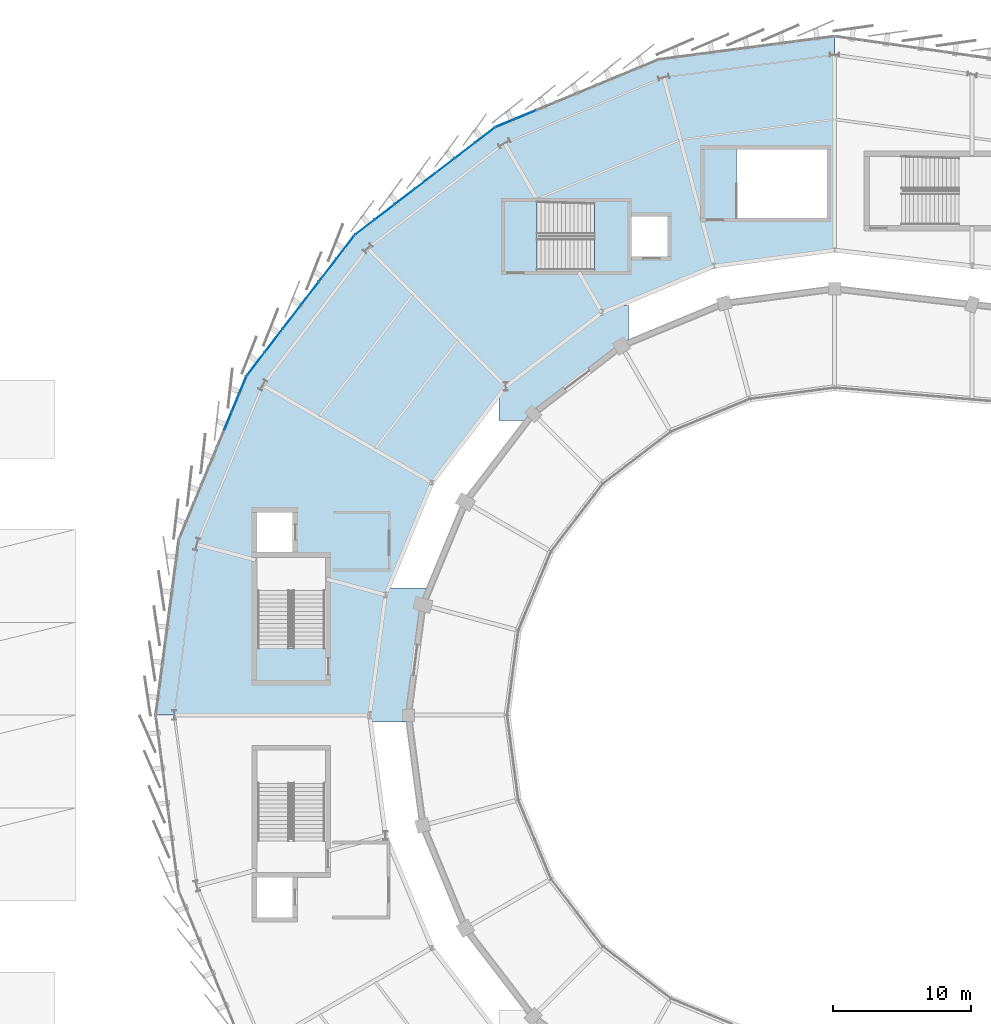
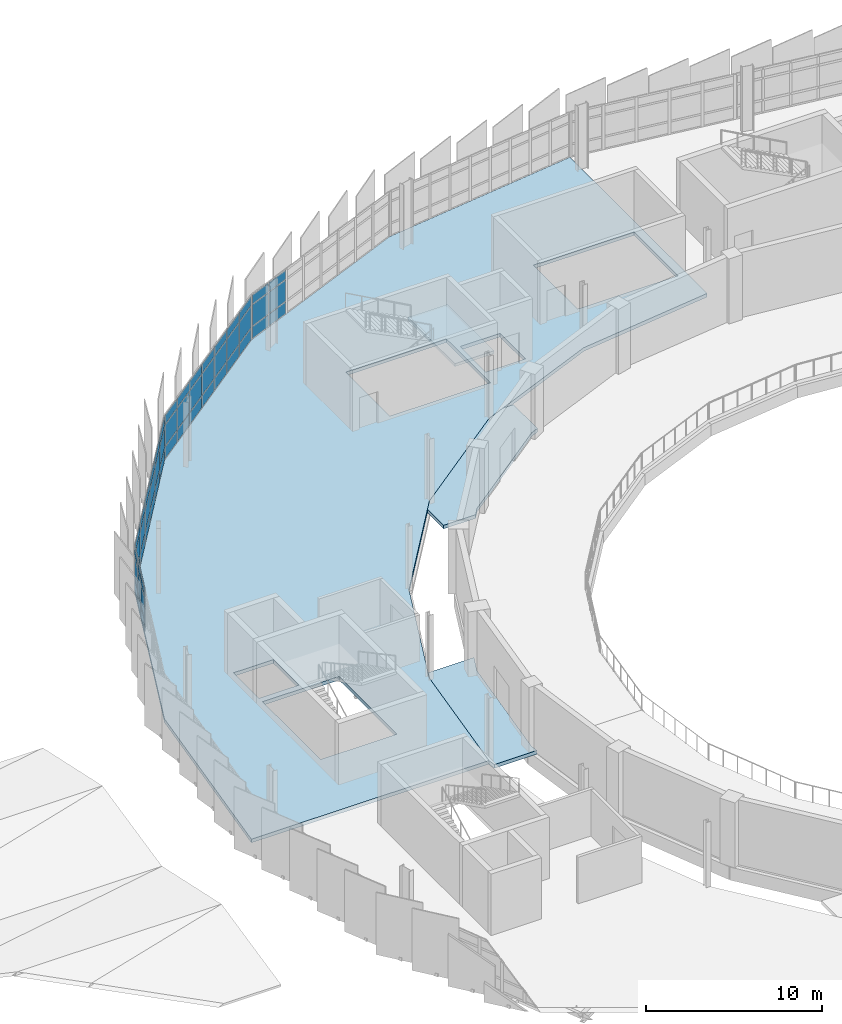
# One storey, part 65 of 87: 54 plates, 4 slabs, 5 elements without a shape of their own.
"""IFC4 building model written with IfcOpenShell, lengths in metres."""

from ifc_helpers import new_model, si_unit, direction, frame, origin, origin_2d, place, context, subcontext, project, spatial, polyline, rectangle, outline, extrude, material, layer, layer_set, type_object, element, aggregate, save


model = new_model("IFC4")

# Units and contexts
model_context = context("Model", 3, precision=1e-05, world=origin(), true_north=direction((0.0, 1.0)))
body_context = subcontext(model_context, "Body", "Model", "MODEL_VIEW")
ifc_project = project(units=[si_unit("LENGTHUNIT", "METRE"), si_unit("AREAUNIT", "SQUARE_METRE"), si_unit("VOLUMEUNIT", "CUBIC_METRE"), si_unit("PLANEANGLEUNIT", "RADIAN"), si_unit("MASSUNIT", "GRAM", prefix="KILO")], contexts=[model_context])

# Site, building, storey
site_placement = place(None, origin())
site = spatial("IfcSite", under=ifc_project, at=site_placement, CompositionType="ELEMENT")
building_placement = place(site_placement, origin())
building = spatial("IfcBuilding", under=site, at=building_placement, Name="Sohan Crest Arena", CompositionType="ELEMENT")
storey_placement = place(building_placement, frame((0.0, 0.0, 18.0)))
storey = spatial("IfcBuildingStorey", under=building, at=storey_placement, Name="L04", CompositionType="ELEMENT", Elevation=18.0)

# Curtain wall, plates
ifc_material_1 = material(Name="Thermally broken anodised aluminium", Category="aluminium")
ifc_layer_1 = layer(ifc_material_1, 0.18994140625, Name="Thermally broken anodised aluminium")
ifc_layer_set_1 = layer_set([ifc_layer_1], Name="Thermally broken anodised aluminium")
curtain_wall_type_1 = type_object("IfcCurtainWallType", Name="ARC-CW05", PredefinedType="NOTDEFINED", material=ifc_layer_set_1)
curtain_wall_1_placement = place(storey_placement, origin())
curtain_wall_1 = element("IfcCurtainWall", 1, at=curtain_wall_1_placement, inside=storey, type_object=curtain_wall_type_1, Name="Unitised curtain wall CW-116", PredefinedType="NOTDEFINED")
ifc_material_2 = material(Name="Low-E double-glazed insulated glass", Category="glass")
ifc_layer_2 = layer(ifc_material_2, 0.028076171875, Name="Low-E double-glazed insulated glass")
ifc_layer_set_2 = layer_set([ifc_layer_2], Name="Low-E double-glazed insulated glass")
plate_type_1 = type_object("IfcPlateType", Name="ARC-CNP01", PredefinedType="CURTAIN_PANEL", material=ifc_layer_set_2)
plate_1_placement = place(storey_placement, frame((54.982421875, 102.0, 0.06494140625), z_axis=(0.0, 0.0, 1.0), x_axis=(-0.382685432009, -0.923878704229, 0.0)))
plate_1 = element("IfcPlate", 2, at=plate_1_placement, type_object=plate_type_1, Name="CW-116 panel 1.1", PredefinedType="CURTAIN_PANEL", context=body_context, shape_type="SweptSolid", body=[
    extrude(rectangle(XDim=1.34130859375, YDim=0.028076171875, at=origin_2d()), origin(), (0.0, 0.0, 1.0), 0.802490234375),
])
plate_2_placement = place(storey_placement, frame((54.982421875, 102.0, 0.932373046875), z_axis=(0.0, 0.0, 1.0), x_axis=(-0.382685432009, -0.923878704229, 0.0)))
plate_2 = element("IfcPlate", 3, at=plate_2_placement, type_object=plate_type_1, Name="CW-116 panel 1.2", PredefinedType="CURTAIN_PANEL", context=body_context, shape_type="SweptSolid", body=[
    extrude(rectangle(XDim=1.34130859375, YDim=0.028076171875, at=origin_2d()), origin(), (0.0, 0.0, 1.0), 1.455078125),
])
plate_3_placement = place(storey_placement, frame((54.982421875, 102.0, 2.452392578125), z_axis=(0.0, 0.0, 1.0), x_axis=(-0.382685432009, -0.923878704229, 0.0)))
plate_3 = element("IfcPlate", 4, at=plate_3_placement, type_object=plate_type_1, Name="CW-116 panel 1.3", PredefinedType="CURTAIN_PANEL", context=body_context, shape_type="SweptSolid", body=[
    extrude(rectangle(XDim=1.34130859375, YDim=0.028076171875, at=origin_2d()), origin(), (0.0, 0.0, 1.0), 0.6025390625),
])
plate_4_placement = place(storey_placement, frame((54.4404296875, 100.69140625, 0.06494140625), z_axis=(0.0, 0.0, 1.0), x_axis=(-0.382685432009, -0.923878704229, 0.0)))
plate_4 = element("IfcPlate", 5, at=plate_4_placement, type_object=plate_type_1, Name="CW-116 panel 2.1", PredefinedType="CURTAIN_PANEL", context=body_context, shape_type="SweptSolid", body=[
    extrude(rectangle(XDim=1.371337890625, YDim=0.028076171875, at=origin_2d()), origin(), (0.0, 0.0, 1.0), 0.802490234375),
])
plate_5_placement = place(storey_placement, frame((54.4404296875, 100.69140625, 0.932373046875), z_axis=(0.0, 0.0, 1.0), x_axis=(-0.382685432009, -0.923878704229, 0.0)))
plate_5 = element("IfcPlate", 6, at=plate_5_placement, type_object=plate_type_1, Name="CW-116 panel 2.2", PredefinedType="CURTAIN_PANEL", context=body_context, shape_type="SweptSolid", body=[
    extrude(rectangle(XDim=1.371337890625, YDim=0.028076171875, at=origin_2d()), origin(), (0.0, 0.0, 1.0), 1.455078125),
])
plate_6_placement = place(storey_placement, frame((54.4404296875, 100.69140625, 2.452392578125), z_axis=(0.0, 0.0, 1.0), x_axis=(-0.382685432009, -0.923878704229, 0.0)))
plate_6 = element("IfcPlate", 7, at=plate_6_placement, type_object=plate_type_1, Name="CW-116 panel 2.3", PredefinedType="CURTAIN_PANEL", context=body_context, shape_type="SweptSolid", body=[
    extrude(rectangle(XDim=1.371337890625, YDim=0.028076171875, at=origin_2d()), origin(), (0.0, 0.0, 1.0), 0.6025390625),
])
plate_7_placement = place(storey_placement, frame((53.892578125, 99.368896484375, 0.06494140625), z_axis=(0.0, 0.0, 1.0), x_axis=(-0.382685432009, -0.923878704229, 0.0)))
plate_7 = element("IfcPlate", 8, at=plate_7_placement, type_object=plate_type_1, Name="CW-116 panel 3.1", PredefinedType="CURTAIN_PANEL", context=body_context, shape_type="SweptSolid", body=[
    extrude(rectangle(XDim=1.371337890625, YDim=0.028076171875, at=origin_2d()), origin(), (0.0, 0.0, 1.0), 0.802490234375),
])
plate_8_placement = place(storey_placement, frame((53.892578125, 99.368896484375, 0.932373046875), z_axis=(0.0, 0.0, 1.0), x_axis=(-0.382685432009, -0.923878704229, 0.0)))
plate_8 = element("IfcPlate", 9, at=plate_8_placement, type_object=plate_type_1, Name="CW-116 panel 3.2", PredefinedType="CURTAIN_PANEL", context=body_context, shape_type="SweptSolid", body=[
    extrude(rectangle(XDim=1.371337890625, YDim=0.028076171875, at=origin_2d()), origin(), (0.0, 0.0, 1.0), 1.455078125),
])
plate_9_placement = place(storey_placement, frame((53.892578125, 99.368896484375, 2.452392578125), z_axis=(0.0, 0.0, 1.0), x_axis=(-0.382685432009, -0.923878704229, 0.0)))
plate_9 = element("IfcPlate", 10, at=plate_9_placement, type_object=plate_type_1, Name="CW-116 panel 3.3", PredefinedType="CURTAIN_PANEL", context=body_context, shape_type="SweptSolid", body=[
    extrude(rectangle(XDim=1.371337890625, YDim=0.028076171875, at=origin_2d()), origin(), (0.0, 0.0, 1.0), 0.6025390625),
])
aggregate(curtain_wall_1, [plate_1, plate_2, plate_3, plate_4, plate_5, plate_6, plate_7, plate_8, plate_9])

ifc_layer_3 = layer(ifc_material_1, 0.199951171875, Name="Thermally broken anodised aluminium")
ifc_layer_set_3 = layer_set([ifc_layer_3], Name="Thermally broken anodised aluminium")
curtain_wall_type_2 = type_object("IfcCurtainWallType", Name="ARC-CW02", PredefinedType="NOTDEFINED", material=ifc_layer_set_3)
curtain_wall_2_placement = place(storey_placement, origin())
curtain_wall_2 = element("IfcCurtainWall", 11, at=curtain_wall_2_placement, inside=storey, type_object=curtain_wall_type_2, Name="Unitised curtain wall CW-113", PredefinedType="NOTDEFINED")
ifc_layer_4 = layer(ifc_material_2, 0.031982421875, Name="Low-E double-glazed insulated glass")
ifc_layer_set_4 = layer_set([ifc_layer_4], Name="Low-E double-glazed insulated glass")
plate_type_2 = type_object("IfcPlateType", Name="ARC-CNP02", PredefinedType="CURTAIN_PANEL", material=ifc_layer_set_4)
plate_10_placement = place(storey_placement, frame((75.556640625, 121.662353515625, 0.06494140625), z_axis=(0.0, 0.0, 1.0), x_axis=(-0.923878704229, -0.382685432009, 0.0)))
plate_10 = element("IfcPlate", 12, at=plate_10_placement, type_object=plate_type_2, Name="CW-113 panel 7.1", PredefinedType="CURTAIN_PANEL", context=body_context, shape_type="SweptSolid", body=[
    extrude(rectangle(XDim=1.54541015625, YDim=0.031982421875, at=origin_2d()), origin(), (0.0, 0.0, 1.0), 0.802490234375),
])
plate_11_placement = place(storey_placement, frame((75.556640625, 121.662353515625, 0.932373046875), z_axis=(0.0, 0.0, 1.0), x_axis=(-0.923878704229, -0.382685432009, 0.0)))
plate_11 = element("IfcPlate", 13, at=plate_11_placement, type_object=plate_type_2, Name="CW-113 panel 7.2", PredefinedType="CURTAIN_PANEL", context=body_context, shape_type="SweptSolid", body=[
    extrude(rectangle(XDim=1.54541015625, YDim=0.031982421875, at=origin_2d()), origin(), (0.0, 0.0, 1.0), 1.455078125),
])
plate_12_placement = place(storey_placement, frame((75.556640625, 121.662353515625, 2.452392578125), z_axis=(0.0, 0.0, 1.0), x_axis=(-0.923878704229, -0.382685432009, 0.0)))
plate_12 = element("IfcPlate", 14, at=plate_12_placement, type_object=plate_type_2, Name="CW-113 panel 7.3", PredefinedType="CURTAIN_PANEL", context=body_context, shape_type="SweptSolid", body=[
    extrude(rectangle(XDim=1.54541015625, YDim=0.031982421875, at=origin_2d()), origin(), (0.0, 0.0, 1.0), 0.6025390625),
])
plate_13_placement = place(storey_placement, frame((74.083984375, 121.05224609375, 0.06494140625), z_axis=(0.0, 0.0, 1.0), x_axis=(-0.923878704229, -0.382685432009, 0.0)))
plate_13 = element("IfcPlate", 15, at=plate_13_placement, type_object=plate_type_2, Name="CW-113 panel 8.1", PredefinedType="CURTAIN_PANEL", context=body_context, shape_type="SweptSolid", body=[
    extrude(rectangle(XDim=1.512939453125, YDim=0.031982421875, at=origin_2d()), origin(), (0.0, 0.0, 1.0), 0.802490234375),
])
plate_14_placement = place(storey_placement, frame((74.083984375, 121.05224609375, 0.932373046875), z_axis=(0.0, 0.0, 1.0), x_axis=(-0.923878704229, -0.382685432009, 0.0)))
plate_14 = element("IfcPlate", 16, at=plate_14_placement, type_object=plate_type_2, Name="CW-113 panel 8.2", PredefinedType="CURTAIN_PANEL", context=body_context, shape_type="SweptSolid", body=[
    extrude(rectangle(XDim=1.512939453125, YDim=0.031982421875, at=origin_2d()), origin(), (0.0, 0.0, 1.0), 1.455078125),
])
plate_15_placement = place(storey_placement, frame((74.083984375, 121.05224609375, 2.452392578125), z_axis=(0.0, 0.0, 1.0), x_axis=(-0.923878704229, -0.382685432009, 0.0)))
plate_15 = element("IfcPlate", 17, at=plate_15_placement, type_object=plate_type_2, Name="CW-113 panel 8.3", PredefinedType="CURTAIN_PANEL", context=body_context, shape_type="SweptSolid", body=[
    extrude(rectangle(XDim=1.512939453125, YDim=0.031982421875, at=origin_2d()), origin(), (0.0, 0.0, 1.0), 0.6025390625),
])
aggregate(curtain_wall_2, [plate_10, plate_11, plate_12, plate_13, plate_14, plate_15])

ifc_layer_5 = layer(ifc_material_1, 0.219970703125, Name="Thermally broken anodised aluminium")
ifc_layer_set_5 = layer_set([ifc_layer_5], Name="Thermally broken anodised aluminium")
curtain_wall_type_3 = type_object("IfcCurtainWallType", Name="ARC-CW03", PredefinedType="NOTDEFINED", material=ifc_layer_set_5)
curtain_wall_3_placement = place(storey_placement, origin())
curtain_wall_3 = element("IfcCurtainWall", 18, at=curtain_wall_3_placement, inside=storey, type_object=curtain_wall_type_3, Name="Unitised curtain wall CW-114", PredefinedType="NOTDEFINED")
ifc_material_3 = material(Name="Ceramic-fritted solar-control insulated glass", Category="glass")
ifc_layer_6 = layer(ifc_material_3, 0.035888671875, Name="Ceramic-fritted solar-control insulated glass")
ifc_layer_set_6 = layer_set([ifc_layer_6], Name="Ceramic-fritted solar-control insulated glass")
plate_type_3 = type_object("IfcPlateType", Name="ARC-CNP03", PredefinedType="CURTAIN_PANEL", material=ifc_layer_set_6)
plate_16_placement = place(storey_placement, frame((72.5810546875, 120.167236328125, 0.070068359375), z_axis=(0.0, 0.0, 1.0), x_axis=(-0.793385172815, -0.60871994181, 0.0)))
plate_16 = element("IfcPlate", 19, at=plate_16_placement, type_object=plate_type_3, Name="CW-114 panel 1.1", PredefinedType="CURTAIN_PANEL", context=body_context, shape_type="SweptSolid", body=[
    extrude(rectangle(XDim=1.7353515625, YDim=0.035888671875, at=origin_2d()), origin(), (0.0, 0.0, 1.0), 0.794921875),
])
plate_17_placement = place(storey_placement, frame((72.5810546875, 120.167236328125, 0.93505859375), z_axis=(0.0, 0.0, 1.0), x_axis=(-0.793385172815, -0.60871994181, 0.0)))
plate_17 = element("IfcPlate", 20, at=plate_17_placement, type_object=plate_type_3, Name="CW-114 panel 1.2", PredefinedType="CURTAIN_PANEL", context=body_context, shape_type="SweptSolid", body=[
    extrude(rectangle(XDim=1.7353515625, YDim=0.035888671875, at=origin_2d()), origin(), (0.0, 0.0, 1.0), 1.449951171875),
])
plate_18_placement = place(storey_placement, frame((72.5810546875, 120.167236328125, 2.455078125), z_axis=(0.0, 0.0, 1.0), x_axis=(-0.793385172815, -0.60871994181, 0.0)))
plate_18 = element("IfcPlate", 21, at=plate_18_placement, type_object=plate_type_3, Name="CW-114 panel 1.3", PredefinedType="CURTAIN_PANEL", context=body_context, shape_type="SweptSolid", body=[
    extrude(rectangle(XDim=1.7353515625, YDim=0.035888671875, at=origin_2d()), origin(), (0.0, 0.0, 1.0), 0.594970703125),
])
plate_19_placement = place(storey_placement, frame((71.134765625, 119.0576171875, 0.070068359375), z_axis=(0.0, 0.0, 1.0), x_axis=(-0.793385172815, -0.60871994181, 0.0)))
plate_19 = element("IfcPlate", 22, at=plate_19_placement, type_object=plate_type_3, Name="CW-114 panel 2.1", PredefinedType="CURTAIN_PANEL", context=body_context, shape_type="SweptSolid", body=[
    extrude(rectangle(XDim=1.7705078125, YDim=0.035888671875, at=origin_2d()), origin(), (0.0, 0.0, 1.0), 0.794921875),
])
plate_20_placement = place(storey_placement, frame((71.134765625, 119.0576171875, 0.93505859375), z_axis=(0.0, 0.0, 1.0), x_axis=(-0.793385172815, -0.60871994181, 0.0)))
plate_20 = element("IfcPlate", 23, at=plate_20_placement, type_object=plate_type_3, Name="CW-114 panel 2.2", PredefinedType="CURTAIN_PANEL", context=body_context, shape_type="SweptSolid", body=[
    extrude(rectangle(XDim=1.7705078125, YDim=0.035888671875, at=origin_2d()), origin(), (0.0, 0.0, 1.0), 1.449951171875),
])
plate_21_placement = place(storey_placement, frame((71.134765625, 119.0576171875, 2.455078125), z_axis=(0.0, 0.0, 1.0), x_axis=(-0.793385172815, -0.60871994181, 0.0)))
plate_21 = element("IfcPlate", 24, at=plate_21_placement, type_object=plate_type_3, Name="CW-114 panel 2.3", PredefinedType="CURTAIN_PANEL", context=body_context, shape_type="SweptSolid", body=[
    extrude(rectangle(XDim=1.7705078125, YDim=0.035888671875, at=origin_2d()), origin(), (0.0, 0.0, 1.0), 0.594970703125),
])
plate_22_placement = place(storey_placement, frame((69.674560546875, 117.937255859375, 0.070068359375), z_axis=(0.0, 0.0, 1.0), x_axis=(-0.793385172815, -0.60871994181, 0.0)))
plate_22 = element("IfcPlate", 25, at=plate_22_placement, type_object=plate_type_3, Name="CW-114 panel 3.1", PredefinedType="CURTAIN_PANEL", context=body_context, shape_type="SweptSolid", body=[
    extrude(rectangle(XDim=1.7705078125, YDim=0.035888671875, at=origin_2d()), origin(), (0.0, 0.0, 1.0), 0.794921875),
])
plate_23_placement = place(storey_placement, frame((69.674560546875, 117.937255859375, 0.93505859375), z_axis=(0.0, 0.0, 1.0), x_axis=(-0.793385172815, -0.60871994181, 0.0)))
plate_23 = element("IfcPlate", 26, at=plate_23_placement, type_object=plate_type_3, Name="CW-114 panel 3.2", PredefinedType="CURTAIN_PANEL", context=body_context, shape_type="SweptSolid", body=[
    extrude(rectangle(XDim=1.7705078125, YDim=0.035888671875, at=origin_2d()), origin(), (0.0, 0.0, 1.0), 1.449951171875),
])
plate_24_placement = place(storey_placement, frame((69.674560546875, 117.937255859375, 2.455078125), z_axis=(0.0, 0.0, 1.0), x_axis=(-0.793385172815, -0.60871994181, 0.0)))
plate_24 = element("IfcPlate", 27, at=plate_24_placement, type_object=plate_type_3, Name="CW-114 panel 3.3", PredefinedType="CURTAIN_PANEL", context=body_context, shape_type="SweptSolid", body=[
    extrude(rectangle(XDim=1.7705078125, YDim=0.035888671875, at=origin_2d()), origin(), (0.0, 0.0, 1.0), 0.594970703125),
])
plate_25_placement = place(storey_placement, frame((68.214599609375, 116.81689453125, 0.070068359375), z_axis=(0.0, 0.0, 1.0), x_axis=(-0.793385172815, -0.60871994181, 0.0)))
plate_25 = element("IfcPlate", 28, at=plate_25_placement, type_object=plate_type_3, Name="CW-114 panel 4.1", PredefinedType="CURTAIN_PANEL", context=body_context, shape_type="SweptSolid", body=[
    extrude(rectangle(XDim=1.7705078125, YDim=0.035888671875, at=origin_2d()), origin(), (0.0, 0.0, 1.0), 0.794921875),
])
plate_26_placement = place(storey_placement, frame((68.214599609375, 116.81689453125, 0.93505859375), z_axis=(0.0, 0.0, 1.0), x_axis=(-0.793385172815, -0.60871994181, 0.0)))
plate_26 = element("IfcPlate", 29, at=plate_26_placement, type_object=plate_type_3, Name="CW-114 panel 4.2", PredefinedType="CURTAIN_PANEL", context=body_context, shape_type="SweptSolid", body=[
    extrude(rectangle(XDim=1.7705078125, YDim=0.035888671875, at=origin_2d()), origin(), (0.0, 0.0, 1.0), 1.449951171875),
])
plate_27_placement = place(storey_placement, frame((68.214599609375, 116.81689453125, 2.455078125), z_axis=(0.0, 0.0, 1.0), x_axis=(-0.793385172815, -0.60871994181, 0.0)))
plate_27 = element("IfcPlate", 30, at=plate_27_placement, type_object=plate_type_3, Name="CW-114 panel 4.3", PredefinedType="CURTAIN_PANEL", context=body_context, shape_type="SweptSolid", body=[
    extrude(rectangle(XDim=1.7705078125, YDim=0.035888671875, at=origin_2d()), origin(), (0.0, 0.0, 1.0), 0.594970703125),
])
plate_28_placement = place(storey_placement, frame((66.75439453125, 115.69677734375, 0.070068359375), z_axis=(0.0, 0.0, 1.0), x_axis=(-0.793385172815, -0.60871994181, 0.0)))
plate_28 = element("IfcPlate", 31, at=plate_28_placement, type_object=plate_type_3, Name="CW-114 panel 5.1", PredefinedType="CURTAIN_PANEL", context=body_context, shape_type="SweptSolid", body=[
    extrude(rectangle(XDim=1.7705078125, YDim=0.035888671875, at=origin_2d()), origin(), (0.0, 0.0, 1.0), 0.794921875),
])
plate_29_placement = place(storey_placement, frame((66.75439453125, 115.69677734375, 0.93505859375), z_axis=(0.0, 0.0, 1.0), x_axis=(-0.793385172815, -0.60871994181, 0.0)))
plate_29 = element("IfcPlate", 32, at=plate_29_placement, type_object=plate_type_3, Name="CW-114 panel 5.2", PredefinedType="CURTAIN_PANEL", context=body_context, shape_type="SweptSolid", body=[
    extrude(rectangle(XDim=1.7705078125, YDim=0.035888671875, at=origin_2d()), origin(), (0.0, 0.0, 1.0), 1.449951171875),
])
plate_30_placement = place(storey_placement, frame((66.75439453125, 115.69677734375, 2.455078125), z_axis=(0.0, 0.0, 1.0), x_axis=(-0.793385172815, -0.60871994181, 0.0)))
plate_30 = element("IfcPlate", 33, at=plate_30_placement, type_object=plate_type_3, Name="CW-114 panel 5.3", PredefinedType="CURTAIN_PANEL", context=body_context, shape_type="SweptSolid", body=[
    extrude(rectangle(XDim=1.7705078125, YDim=0.035888671875, at=origin_2d()), origin(), (0.0, 0.0, 1.0), 0.594970703125),
])
plate_31_placement = place(storey_placement, frame((65.294189453125, 114.576416015625, 0.070068359375), z_axis=(0.0, 0.0, 1.0), x_axis=(-0.793385172815, -0.60871994181, 0.0)))
plate_31 = element("IfcPlate", 34, at=plate_31_placement, type_object=plate_type_3, Name="CW-114 panel 6.1", PredefinedType="CURTAIN_PANEL", context=body_context, shape_type="SweptSolid", body=[
    extrude(rectangle(XDim=1.7705078125, YDim=0.035888671875, at=origin_2d()), origin(), (0.0, 0.0, 1.0), 0.794921875),
])
plate_32_placement = place(storey_placement, frame((65.294189453125, 114.576416015625, 0.93505859375), z_axis=(0.0, 0.0, 1.0), x_axis=(-0.793385172815, -0.60871994181, 0.0)))
plate_32 = element("IfcPlate", 35, at=plate_32_placement, type_object=plate_type_3, Name="CW-114 panel 6.2", PredefinedType="CURTAIN_PANEL", context=body_context, shape_type="SweptSolid", body=[
    extrude(rectangle(XDim=1.7705078125, YDim=0.035888671875, at=origin_2d()), origin(), (0.0, 0.0, 1.0), 1.449951171875),
])
plate_33_placement = place(storey_placement, frame((65.294189453125, 114.576416015625, 2.455078125), z_axis=(0.0, 0.0, 1.0), x_axis=(-0.793385172815, -0.60871994181, 0.0)))
plate_33 = element("IfcPlate", 36, at=plate_33_placement, type_object=plate_type_3, Name="CW-114 panel 6.3", PredefinedType="CURTAIN_PANEL", context=body_context, shape_type="SweptSolid", body=[
    extrude(rectangle(XDim=1.7705078125, YDim=0.035888671875, at=origin_2d()), origin(), (0.0, 0.0, 1.0), 0.594970703125),
])
plate_34_placement = place(storey_placement, frame((63.847900390625, 113.466796875, 0.070068359375), z_axis=(0.0, 0.0, 1.0), x_axis=(-0.793385172815, -0.60871994181, 0.0)))
plate_34 = element("IfcPlate", 37, at=plate_34_placement, type_object=plate_type_3, Name="CW-114 panel 7.1", PredefinedType="CURTAIN_PANEL", context=body_context, shape_type="SweptSolid", body=[
    extrude(rectangle(XDim=1.7353515625, YDim=0.035888671875, at=origin_2d()), origin(), (0.0, 0.0, 1.0), 0.794921875),
])
plate_35_placement = place(storey_placement, frame((63.847900390625, 113.466796875, 0.93505859375), z_axis=(0.0, 0.0, 1.0), x_axis=(-0.793385172815, -0.60871994181, 0.0)))
plate_35 = element("IfcPlate", 38, at=plate_35_placement, type_object=plate_type_3, Name="CW-114 panel 7.2", PredefinedType="CURTAIN_PANEL", context=body_context, shape_type="SweptSolid", body=[
    extrude(rectangle(XDim=1.7353515625, YDim=0.035888671875, at=origin_2d()), origin(), (0.0, 0.0, 1.0), 1.449951171875),
])
plate_36_placement = place(storey_placement, frame((63.847900390625, 113.466796875, 2.455078125), z_axis=(0.0, 0.0, 1.0), x_axis=(-0.793385172815, -0.60871994181, 0.0)))
plate_36 = element("IfcPlate", 39, at=plate_36_placement, type_object=plate_type_3, Name="CW-114 panel 7.3", PredefinedType="CURTAIN_PANEL", context=body_context, shape_type="SweptSolid", body=[
    extrude(rectangle(XDim=1.7353515625, YDim=0.035888671875, at=origin_2d()), origin(), (0.0, 0.0, 1.0), 0.594970703125),
])
aggregate(curtain_wall_3, [plate_16, plate_17, plate_18, plate_19, plate_20, plate_21, plate_22, plate_23, plate_24, plate_25, plate_26, plate_27, plate_28, plate_29, plate_30, plate_31, plate_32, plate_33, plate_34, plate_35, plate_36])

ifc_layer_7 = layer(ifc_material_1, 0.239990234375, Name="Thermally broken anodised aluminium")
ifc_layer_set_7 = layer_set([ifc_layer_7], Name="Thermally broken anodised aluminium")
curtain_wall_type_4 = type_object("IfcCurtainWallType", Name="ARC-CW04", PredefinedType="NOTDEFINED", material=ifc_layer_set_7)
curtain_wall_4_placement = place(storey_placement, origin())
curtain_wall_4 = element("IfcCurtainWall", 40, at=curtain_wall_4_placement, inside=storey, type_object=curtain_wall_type_4, Name="Unitised curtain wall CW-115", PredefinedType="NOTDEFINED")
ifc_material_4 = material(Name="Insulated polychrome ceramic spandrel panel", Category="masonry")
ifc_layer_8 = layer(ifc_material_4, 0.0419921875, Name="Insulated polychrome ceramic spandrel panel")
ifc_layer_set_8 = layer_set([ifc_layer_8], Name="Insulated polychrome ceramic spandrel panel")
plate_type_4 = type_object("IfcPlateType", Name="ARC-CNP04", PredefinedType="CURTAIN_PANEL", material=ifc_layer_set_8)
plate_37_placement = place(storey_placement, frame((62.43896484375, 112.029296875, 0.06005859375), z_axis=(0.0, 0.0, 1.0), x_axis=(-0.60871994181, -0.793385172815, 0.0)))
plate_37 = element("IfcPlate", 41, at=plate_37_placement, type_object=plate_type_4, Name="CW-115 panel 1.1", PredefinedType="CURTAIN_PANEL", context=body_context, shape_type="SweptSolid", body=[
    extrude(rectangle(XDim=2.03466796875, YDim=0.0419921875, at=origin_2d()), origin(), (0.0, 0.0, 1.0), 0.81005859375),
])
plate_38_placement = place(storey_placement, frame((62.43896484375, 112.029296875, 0.929931640625), z_axis=(0.0, 0.0, 1.0), x_axis=(-0.60871994181, -0.793385172815, 0.0)))
plate_38 = element("IfcPlate", 42, at=plate_38_placement, type_object=plate_type_4, Name="CW-115 panel 1.2", PredefinedType="CURTAIN_PANEL", context=body_context, shape_type="SweptSolid", body=[
    extrude(rectangle(XDim=2.03466796875, YDim=0.0419921875, at=origin_2d()), origin(), (0.0, 0.0, 1.0), 1.4599609375),
])
plate_39_placement = place(storey_placement, frame((62.43896484375, 112.029296875, 2.44970703125), z_axis=(0.0, 0.0, 1.0), x_axis=(-0.60871994181, -0.793385172815, 0.0)))
plate_39 = element("IfcPlate", 43, at=plate_39_placement, type_object=plate_type_4, Name="CW-115 panel 1.3", PredefinedType="CURTAIN_PANEL", context=body_context, shape_type="SweptSolid", body=[
    extrude(rectangle(XDim=2.03466796875, YDim=0.0419921875, at=origin_2d()), origin(), (0.0, 0.0, 1.0), 0.610107421875),
])
plate_40_placement = place(storey_placement, frame((61.1435546875, 110.3408203125, 0.06005859375), z_axis=(0.0, 0.0, 1.0), x_axis=(-0.60871994181, -0.793385172815, 0.0)))
plate_40 = element("IfcPlate", 44, at=plate_40_placement, type_object=plate_type_4, Name="CW-115 panel 2.1", PredefinedType="CURTAIN_PANEL", context=body_context, shape_type="SweptSolid", body=[
    extrude(rectangle(XDim=2.072021484375, YDim=0.0419921875, at=origin_2d()), origin(), (0.0, 0.0, 1.0), 0.81005859375),
])
plate_41_placement = place(storey_placement, frame((61.1435546875, 110.3408203125, 0.929931640625), z_axis=(0.0, 0.0, 1.0), x_axis=(-0.60871994181, -0.793385172815, 0.0)))
plate_41 = element("IfcPlate", 45, at=plate_41_placement, type_object=plate_type_4, Name="CW-115 panel 2.2", PredefinedType="CURTAIN_PANEL", context=body_context, shape_type="SweptSolid", body=[
    extrude(rectangle(XDim=2.072021484375, YDim=0.0419921875, at=origin_2d()), origin(), (0.0, 0.0, 1.0), 1.4599609375),
])
plate_42_placement = place(storey_placement, frame((61.1435546875, 110.3408203125, 2.44970703125), z_axis=(0.0, 0.0, 1.0), x_axis=(-0.60871994181, -0.793385172815, 0.0)))
plate_42 = element("IfcPlate", 46, at=plate_42_placement, type_object=plate_type_4, Name="CW-115 panel 2.3", PredefinedType="CURTAIN_PANEL", context=body_context, shape_type="SweptSolid", body=[
    extrude(rectangle(XDim=2.072021484375, YDim=0.0419921875, at=origin_2d()), origin(), (0.0, 0.0, 1.0), 0.610107421875),
])
plate_43_placement = place(storey_placement, frame((59.83642578125, 108.63720703125, 0.06005859375), z_axis=(0.0, 0.0, 1.0), x_axis=(-0.60871994181, -0.793385172815, 0.0)))
plate_43 = element("IfcPlate", 47, at=plate_43_placement, type_object=plate_type_4, Name="CW-115 panel 3.1", PredefinedType="CURTAIN_PANEL", context=body_context, shape_type="SweptSolid", body=[
    extrude(rectangle(XDim=2.072021484375, YDim=0.0419921875, at=origin_2d()), origin(), (0.0, 0.0, 1.0), 0.81005859375),
])
plate_44_placement = place(storey_placement, frame((59.83642578125, 108.63720703125, 0.929931640625), z_axis=(0.0, 0.0, 1.0), x_axis=(-0.60871994181, -0.793385172815, 0.0)))
plate_44 = element("IfcPlate", 48, at=plate_44_placement, type_object=plate_type_4, Name="CW-115 panel 3.2", PredefinedType="CURTAIN_PANEL", context=body_context, shape_type="SweptSolid", body=[
    extrude(rectangle(XDim=2.072021484375, YDim=0.0419921875, at=origin_2d()), origin(), (0.0, 0.0, 1.0), 1.4599609375),
])
plate_45_placement = place(storey_placement, frame((59.83642578125, 108.63720703125, 2.44970703125), z_axis=(0.0, 0.0, 1.0), x_axis=(-0.60871994181, -0.793385172815, 0.0)))
plate_45 = element("IfcPlate", 49, at=plate_45_placement, type_object=plate_type_4, Name="CW-115 panel 3.3", PredefinedType="CURTAIN_PANEL", context=body_context, shape_type="SweptSolid", body=[
    extrude(rectangle(XDim=2.072021484375, YDim=0.0419921875, at=origin_2d()), origin(), (0.0, 0.0, 1.0), 0.610107421875),
])
plate_46_placement = place(storey_placement, frame((58.529541015625, 106.933837890625, 0.06005859375), z_axis=(0.0, 0.0, 1.0), x_axis=(-0.60871994181, -0.793385172815, 0.0)))
plate_46 = element("IfcPlate", 50, at=plate_46_placement, type_object=plate_type_4, Name="CW-115 panel 4.1", PredefinedType="CURTAIN_PANEL", context=body_context, shape_type="SweptSolid", body=[
    extrude(rectangle(XDim=2.072021484375, YDim=0.0419921875, at=origin_2d()), origin(), (0.0, 0.0, 1.0), 0.81005859375),
])
plate_47_placement = place(storey_placement, frame((58.529541015625, 106.933837890625, 0.929931640625), z_axis=(0.0, 0.0, 1.0), x_axis=(-0.60871994181, -0.793385172815, 0.0)))
plate_47 = element("IfcPlate", 51, at=plate_47_placement, type_object=plate_type_4, Name="CW-115 panel 4.2", PredefinedType="CURTAIN_PANEL", context=body_context, shape_type="SweptSolid", body=[
    extrude(rectangle(XDim=2.072021484375, YDim=0.0419921875, at=origin_2d()), origin(), (0.0, 0.0, 1.0), 1.4599609375),
])
plate_48_placement = place(storey_placement, frame((58.529541015625, 106.933837890625, 2.44970703125), z_axis=(0.0, 0.0, 1.0), x_axis=(-0.60871994181, -0.793385172815, 0.0)))
plate_48 = element("IfcPlate", 52, at=plate_48_placement, type_object=plate_type_4, Name="CW-115 panel 4.3", PredefinedType="CURTAIN_PANEL", context=body_context, shape_type="SweptSolid", body=[
    extrude(rectangle(XDim=2.072021484375, YDim=0.0419921875, at=origin_2d()), origin(), (0.0, 0.0, 1.0), 0.610107421875),
])
plate_49_placement = place(storey_placement, frame((57.222412109375, 105.230224609375, 0.06005859375), z_axis=(0.0, 0.0, 1.0), x_axis=(-0.60871994181, -0.793385172815, 0.0)))
plate_49 = element("IfcPlate", 53, at=plate_49_placement, type_object=plate_type_4, Name="CW-115 panel 5.1", PredefinedType="CURTAIN_PANEL", context=body_context, shape_type="SweptSolid", body=[
    extrude(rectangle(XDim=2.072021484375, YDim=0.0419921875, at=origin_2d()), origin(), (0.0, 0.0, 1.0), 0.81005859375),
])
plate_50_placement = place(storey_placement, frame((57.222412109375, 105.230224609375, 0.929931640625), z_axis=(0.0, 0.0, 1.0), x_axis=(-0.60871994181, -0.793385172815, 0.0)))
plate_50 = element("IfcPlate", 54, at=plate_50_placement, type_object=plate_type_4, Name="CW-115 panel 5.2", PredefinedType="CURTAIN_PANEL", context=body_context, shape_type="SweptSolid", body=[
    extrude(rectangle(XDim=2.072021484375, YDim=0.0419921875, at=origin_2d()), origin(), (0.0, 0.0, 1.0), 1.4599609375),
])
plate_51_placement = place(storey_placement, frame((57.222412109375, 105.230224609375, 2.44970703125), z_axis=(0.0, 0.0, 1.0), x_axis=(-0.60871994181, -0.793385172815, 0.0)))
plate_51 = element("IfcPlate", 55, at=plate_51_placement, type_object=plate_type_4, Name="CW-115 panel 5.3", PredefinedType="CURTAIN_PANEL", context=body_context, shape_type="SweptSolid", body=[
    extrude(rectangle(XDim=2.072021484375, YDim=0.0419921875, at=origin_2d()), origin(), (0.0, 0.0, 1.0), 0.610107421875),
])
plate_52_placement = place(storey_placement, frame((55.927001953125, 103.54150390625, 0.06005859375), z_axis=(0.0, 0.0, 1.0), x_axis=(-0.60871994181, -0.793385172815, 0.0)))
plate_52 = element("IfcPlate", 56, at=plate_52_placement, type_object=plate_type_4, Name="CW-115 panel 6.1", PredefinedType="CURTAIN_PANEL", context=body_context, shape_type="SweptSolid", body=[
    extrude(rectangle(XDim=2.03466796875, YDim=0.0419921875, at=origin_2d()), origin(), (0.0, 0.0, 1.0), 0.81005859375),
])
plate_53_placement = place(storey_placement, frame((55.927001953125, 103.54150390625, 0.929931640625), z_axis=(0.0, 0.0, 1.0), x_axis=(-0.60871994181, -0.793385172815, 0.0)))
plate_53 = element("IfcPlate", 57, at=plate_53_placement, type_object=plate_type_4, Name="CW-115 panel 6.2", PredefinedType="CURTAIN_PANEL", context=body_context, shape_type="SweptSolid", body=[
    extrude(rectangle(XDim=2.03466796875, YDim=0.0419921875, at=origin_2d()), origin(), (0.0, 0.0, 1.0), 1.4599609375),
])
plate_54_placement = place(storey_placement, frame((55.927001953125, 103.54150390625, 2.44970703125), z_axis=(0.0, 0.0, 1.0), x_axis=(-0.60871994181, -0.793385172815, 0.0)))
plate_54 = element("IfcPlate", 58, at=plate_54_placement, type_object=plate_type_4, Name="CW-115 panel 6.3", PredefinedType="CURTAIN_PANEL", context=body_context, shape_type="SweptSolid", body=[
    extrude(rectangle(XDim=2.03466796875, YDim=0.0419921875, at=origin_2d()), origin(), (0.0, 0.0, 1.0), 0.610107421875),
])
aggregate(curtain_wall_4, [plate_37, plate_38, plate_39, plate_40, plate_41, plate_42, plate_43, plate_44, plate_45, plate_46, plate_47, plate_48, plate_49, plate_50, plate_51, plate_52, plate_53, plate_54])

# Slabs
ifc_material_5 = material(Name="Concrete C40/50", Category="concrete")
ifc_layer_9 = layer(ifc_material_5, 0.25, Name="Concrete C40/50")
ifc_layer_set_9 = layer_set([ifc_layer_9], Name="Concrete C40/50")
slab_type_1 = type_object("IfcSlabType", Name="SL-FLR3", PredefinedType="FLOOR", material=ifc_layer_set_9)
slab_1_placement = place(storey_placement, frame((0.0, 0.0, -0.25)))
element("IfcSlab", 59, at=slab_1_placement, inside=storey, type_object=slab_type_1, Name="Concourse ring L04 sector 1 SL-L04-V2S1", PredefinedType="FLOOR", context=body_context, shape_type="SweptSolid", body=[
    extrude(outline(polyline([(50.33203125, 90.77294921875), (55.261962890625, 102.675048828125), (63.10400390625, 112.89599609375), (73.324951171875, 120.738037109375), (85.22705078125, 125.66796875), (98.0, 127.35009765625), (98.0, 111.800048828125), (89.251953125, 110.64794921875), (81.10009765625, 107.27197265625), (74.10009765625, 101.89990234375), (68.72802734375, 94.89990234375), (65.35205078125, 86.748046875), (64.199951171875, 78.0), (48.64990234375, 78.0), (50.33203125, 90.77294921875)]), holes=[polyline([(56.0, 82.8701171875), (61.0, 82.8701171875), (61.0, 89.449951171875), (56.0, 89.449951171875), (56.0, 82.8701171875)]), polyline([(56.0, 92.75), (56.0, 89.85009765625), (58.60009765625, 89.85009765625), (58.60009765625, 92.75), (56.0, 92.75)]), polyline([(76.3701171875, 110.300048828125), (82.949951171875, 110.300048828125), (82.949951171875, 115.300048828125), (76.3701171875, 115.300048828125), (76.3701171875, 110.300048828125)]), polyline([(83.25, 114.25), (83.25, 111.35009765625), (85.85009765625, 111.35009765625), (85.85009765625, 114.25), (83.25, 114.25)]), polyline([(97.449951171875, 114.139892578125), (97.449951171875, 119.139892578125), (90.8701171875, 119.139892578125), (90.8701171875, 114.139892578125), (97.449951171875, 114.139892578125)])]), origin(), (0.0, 0.0, 1.0), 0.25),
])
slab_2_placement = place(storey_placement, frame((0.0, 0.0, -0.25)))
element("IfcSlab", 60, at=slab_2_placement, inside=storey, type_object=slab_type_1, Name="Seismic joint threshold slab L04 SL-TH-L04-02", PredefinedType="FLOOR", context=body_context, shape_type="SweptSolid", body=[
    extrude(outline(polyline([(74.10009765625, 101.89990234375), (81.10009765625, 107.27197265625), (82.306884765625, 107.77197265625), (83.0, 107.77197265625), (83.0, 105.053955078125), (82.5, 104.846923828125), (76.080078125, 99.919921875), (75.696044921875, 99.419921875), (73.60009765625, 99.419921875), (73.60009765625, 101.248046875), (74.10009765625, 101.89990234375)])), origin(), (0.0, 0.0, 1.0), 0.25),
])
slab_3_placement = place(storey_placement, frame((0.0, 0.0, -0.25)))
element("IfcSlab", 61, at=slab_3_placement, inside=storey, type_object=slab_type_1, Name="Seismic joint threshold slab L04 SL-TH-L04-05", PredefinedType="FLOOR", context=body_context, shape_type="SweptSolid", body=[
    extrude(outline(polyline([(64.199951171875, 78.0), (65.35205078125, 86.748046875), (65.55908203125, 87.248046875), (68.555908203125, 87.248046875), (68.555908203125, 87.22998046875), (68.055908203125, 86.02294921875), (67.0, 78.0), (67.06591796875, 77.5), (64.26611328125, 77.5), (64.199951171875, 78.0)])), origin(), (0.0, 0.0, 1.0), 0.25),
])

# Stair, slab
stair_type = type_object("IfcStairType", Name="ST-450", PredefinedType="TWO_STRAIGHT_RUN_STAIR", material=ifc_material_5)
stair_placement = place(storey_placement, origin())
stair = element("IfcStair", 62, at=stair_placement, inside=storey, type_object=stair_type, Name="Protected exit stair ST04-L04", PredefinedType="TWO_STRAIGHT_RUN_STAIR")
ifc_layer_10 = layer(ifc_material_5, 0.199951171875, Name="Concrete C40/50")
ifc_layer_set_10 = layer_set([ifc_layer_10], Name="Concrete C40/50")
slab_type_2 = type_object("IfcSlabType", Name="SL-LND1", PredefinedType="LANDING", material=ifc_layer_set_10)
slab_4_placement = place(storey_placement, frame((0.0, 0.0, 2.050048828125)))
slab_4 = element("IfcSlab", 63, at=slab_4_placement, type_object=slab_type_2, Name="ST04-L04 landing 1", PredefinedType="LANDING", context=body_context, shape_type="SweptSolid", body=[
    extrude(outline(polyline([(80.530029296875, 110.14990234375), (83.10009765625, 110.14990234375), (83.10009765625, 115.449951171875), (80.530029296875, 115.449951171875), (80.530029296875, 110.14990234375)])), origin(), (0.0, 0.0, 1.0), 0.199951171875),
])
aggregate(stair, [slab_4])

save(model, "model.ifc")
